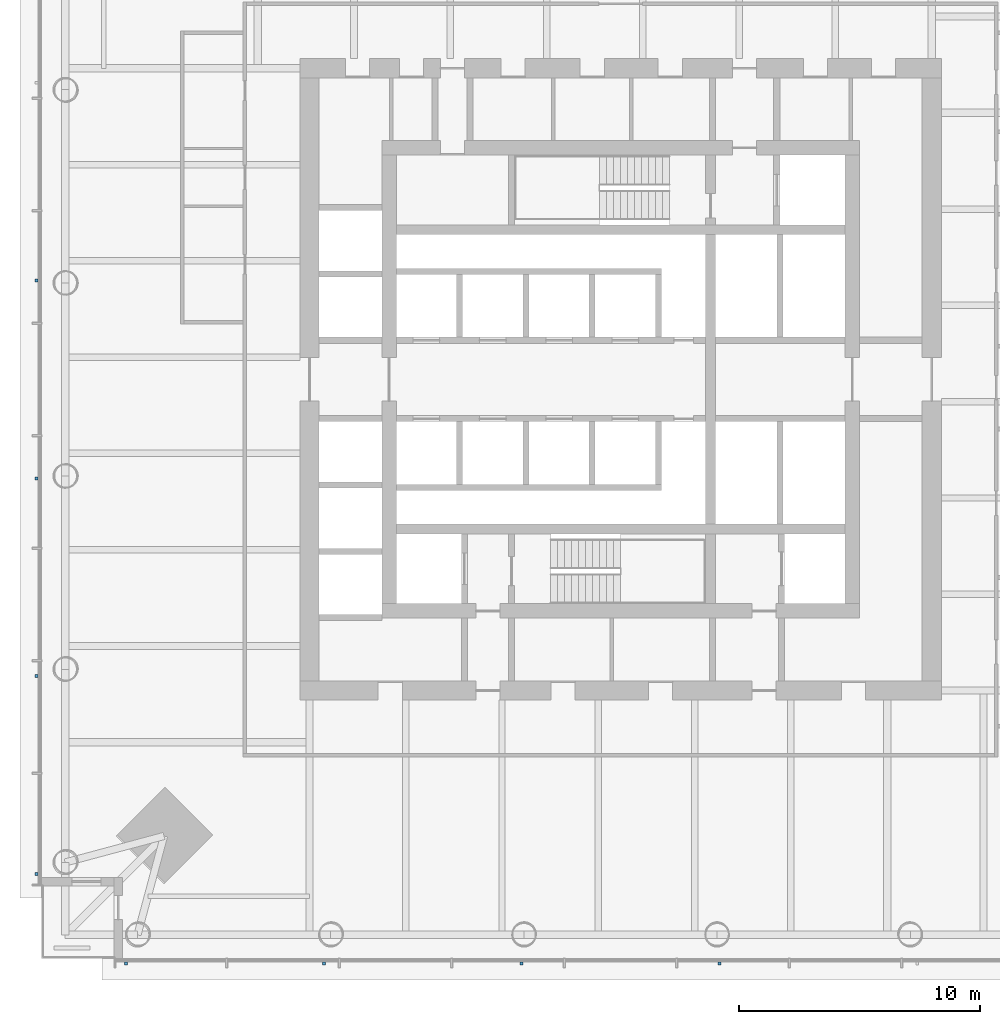
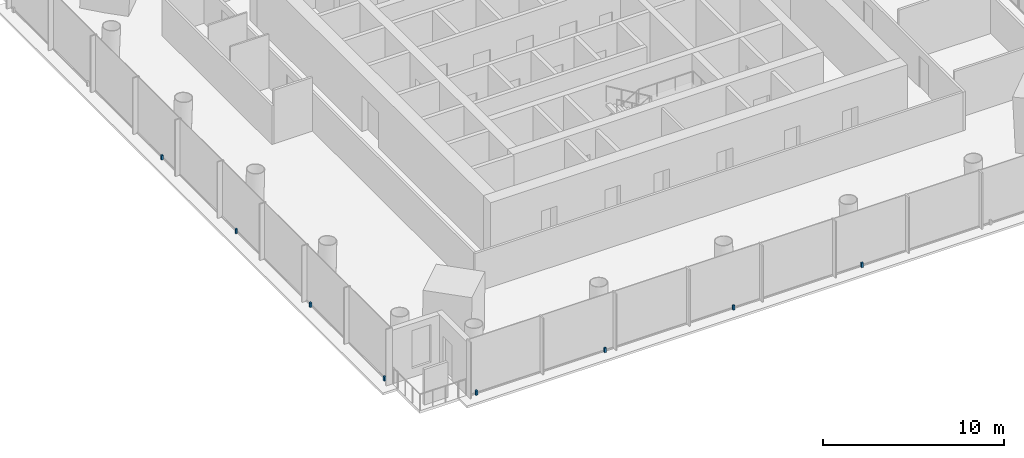
# One storey, part 18 of 26: 8 discrete accessories.
"""IFC4 building model written with IfcOpenShell, lengths in metres."""

from ifc_helpers import new_model, si_unit, direction, frame, origin, origin_2d, place, context, subcontext, project, spatial, rectangle, extrude, material, type_object, element, save


model = new_model("IFC4")

# Units and contexts
model_context = context("Model", 3, precision=1e-05, world=origin(), true_north=direction((0.0, 1.0)))
body_context = subcontext(model_context, "Body", "Model", "MODEL_VIEW")
ifc_project = project(units=[si_unit("LENGTHUNIT", "METRE"), si_unit("AREAUNIT", "SQUARE_METRE"), si_unit("VOLUMEUNIT", "CUBIC_METRE"), si_unit("PLANEANGLEUNIT", "RADIAN"), si_unit("MASSUNIT", "GRAM", prefix="KILO")], contexts=[model_context])

# Site, building, storey
site_placement = place(None, origin())
site = spatial("IfcSite", under=ifc_project, at=site_placement, CompositionType="ELEMENT")
building_placement = place(site_placement, origin())
building = spatial("IfcBuilding", under=site, at=building_placement, Name="Ostroluk Exchange", CompositionType="ELEMENT")
storey_placement = place(building_placement, frame((0.0, 0.0, 51.39990234375)))
storey = spatial("IfcBuildingStorey", under=building, at=storey_placement, Name="L12", CompositionType="ELEMENT", Elevation=51.39990234375)

# Discrete accessories
ifc_material = material(Name="Stainless steel", Category="steel")
discrete_accessory_type = type_object("IfcDiscreteAccessoryType", Name="Fall-arrest anchor PN-EN 795 type C", PredefinedType="USERDEFINED", material=ifc_material)
for number, where, z_axis, x_axis, name in (
    (1, (24.5, 21.7900390625, 0.0), (0.0, 0.0, 1.0), (1.0, 0.0, 0.0), "Fall-arrest anchor L12 south 1"),
    (2, (32.699951171875, 21.7900390625, 0.0), (0.0, 0.0, 1.0), (1.0, 0.0, 0.0), "Fall-arrest anchor L12 south 2"),
    (3, (40.89990234375, 21.7900390625, 0.0), (0.0, 0.0, 1.0), (1.0, 0.0, 0.0), "Fall-arrest anchor L12 south 3"),
    (4, (49.10009765625, 21.7900390625, 0.0), (0.0, 0.0, 1.0), (1.0, 0.0, 0.0), "Fall-arrest anchor L12 south 4"),
    (5, (20.7900390625, 25.5, 0.0), (0.0, 0.0, 1.0), (1.0, 0.0, 0.0), "Fall-arrest anchor L12 west 1"),
    (6, (20.7900390625, 33.699951171875, 0.0), (0.0, 0.0, 1.0), (1.0, 0.0, 0.0), "Fall-arrest anchor L12 west 2"),
    (7, (20.7900390625, 41.89990234375, 0.0), (0.0, 0.0, 1.0), (1.0, 0.0, 0.0), "Fall-arrest anchor L12 west 3"),
    (8, (20.7900390625, 50.10009765625, 0.0), (0.0, 0.0, 1.0), (1.0, 0.0, 0.0), "Fall-arrest anchor L12 west 4"),
):
    element("IfcDiscreteAccessory", number, at=place(storey_placement, frame(where, z_axis=z_axis, x_axis=x_axis)), inside=storey, type_object=discrete_accessory_type, Name=name, ObjectType="FALL ARREST ANCHOR", PredefinedType="USERDEFINED", context=body_context, shape_type="SweptSolid", body=[
        extrude(rectangle(XDim=0.1201171875, YDim=0.1201171875, at=origin_2d()), origin(), (0.0, 0.0, 1.0), 0.300048828125),
    ])

save(model, "model.ifc")
